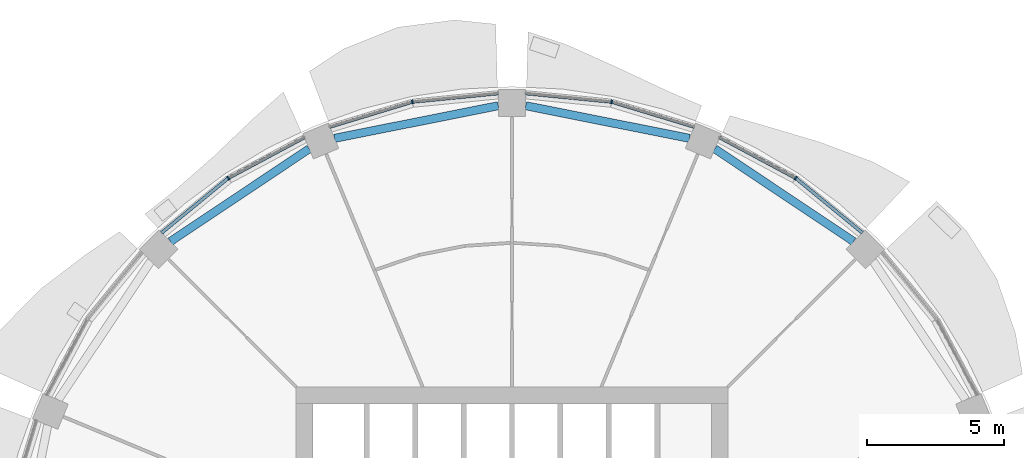
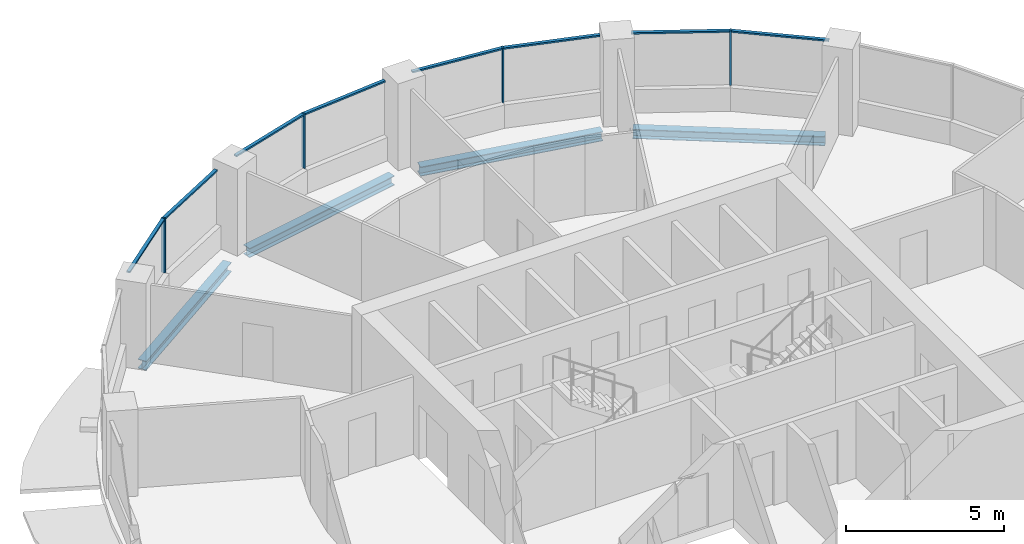
# One storey, part 6 of 15: 12 members, 4 beams, 4 elements without a shape of their own.
"""IFC4 building model written with IfcOpenShell, lengths in metres."""

from ifc_helpers import new_model, si_unit, direction, frame, origin, origin_2d, place, context, subcontext, project, spatial, rectangle, i_section, extrude, material, material_profile, profile_set, type_object, element, aggregate, save


model = new_model("IFC4")

# Units and contexts
model_context = context("Model", 3, precision=1e-05, world=origin(), true_north=direction((0.0, 1.0)))
body_context = subcontext(model_context, "Body", "Model", "MODEL_VIEW")
ifc_project = project(units=[si_unit("LENGTHUNIT", "METRE"), si_unit("AREAUNIT", "SQUARE_METRE"), si_unit("VOLUMEUNIT", "CUBIC_METRE"), si_unit("PLANEANGLEUNIT", "RADIAN"), si_unit("MASSUNIT", "GRAM", prefix="KILO")], contexts=[model_context])

# Site, building, storey
site_placement = place(None, origin())
site = spatial("IfcSite", under=ifc_project, at=site_placement, CompositionType="ELEMENT")
building_placement = place(site_placement, origin())
building = spatial("IfcBuilding", under=site, at=building_placement, Name="Polderwave Tower", CompositionType="ELEMENT")
storey_placement = place(building_placement, frame((0.0, 0.0, 151.10009765625)))
storey = spatial("IfcBuildingStorey", under=building, at=storey_placement, Name="L40", CompositionType="ELEMENT", Elevation=151.10009765625)

# Curtain wall, member
ifc_material_1 = material(Name="Aluminium 6063-T6 and glass", Category="aluminium")
curtain_wall_type = type_object("IfcCurtainWallType", Name="Office ribbon glazing wall", PredefinedType="NOTDEFINED", material=ifc_material_1)
curtain_wall_1_placement = place(storey_placement, origin())
curtain_wall_1 = element("IfcCurtainWall", 1, at=curtain_wall_1_placement, inside=storey, type_object=curtain_wall_type, Name="CW3 L40 02", PredefinedType="NOTDEFINED")
ifc_material_2 = material(Name="Aluminium 6063-T6", Category="aluminium")
ifc_material_profile_1 = material_profile(ifc_material_2, rectangle(XDim=0.139892578125, YDim=0.054931640625, at=origin_2d()), Name="AL 55x140")
ifc_profile_set_1 = profile_set([ifc_material_profile_1], Name="Aluminium 6063-T6")
member_type_1 = type_object("IfcMemberType", Name="Office ribbon glazing mullion 55x140", PredefinedType="MULLION", material=ifc_profile_set_1)
member_1_placement = place(storey_placement, frame((10.35009765625, 15.489990234375, 0.89990234375), z_axis=(0.0, 0.0, 1.0), x_axis=(-0.555548465006, -0.831484156812, 0.0)))
member_1 = element("IfcMember", 2, at=member_1_placement, type_object=member_type_1, Name="CW3 mullion 1", PredefinedType="MULLION", context=body_context, shape_type="SweptSolid", body=[
    extrude(rectangle(XDim=0.139892578125, YDim=0.054931640625, at=origin_2d()), origin(), (0.0, 0.0, 1.0), 2.10009765625),
])

curtain_wall_2_placement = place(storey_placement, origin())
curtain_wall_2 = element("IfcCurtainWall", 3, at=curtain_wall_2_placement, inside=storey, type_object=curtain_wall_type, Name="CW3 L40 03", PredefinedType="NOTDEFINED")
member_2_placement = place(storey_placement, frame((3.635009765625, 18.27197265625, 0.89990234375), z_axis=(0.0, 0.0, 1.0), x_axis=(-0.195083474838, -0.980786642367, 0.0)))
member_2 = element("IfcMember", 4, at=member_2_placement, type_object=member_type_1, Name="CW3 mullion 1", PredefinedType="MULLION", context=body_context, shape_type="SweptSolid", body=[
    extrude(rectangle(XDim=0.139892578125, YDim=0.054931640625, at=origin_2d()), origin(), (0.0, 0.0, 1.0), 2.10009765625),
])

curtain_wall_3_placement = place(storey_placement, origin())
curtain_wall_3 = element("IfcCurtainWall", 5, at=curtain_wall_3_placement, inside=storey, type_object=curtain_wall_type, Name="CW3 L40 04", PredefinedType="NOTDEFINED")
member_3_placement = place(storey_placement, frame((-3.635009765625, 18.27197265625, 0.89990234375), z_axis=(0.0, 0.0, 1.0), x_axis=(0.195083474838, -0.980786642367, 0.0)))
member_3 = element("IfcMember", 6, at=member_3_placement, type_object=member_type_1, Name="CW3 mullion 1", PredefinedType="MULLION", context=body_context, shape_type="SweptSolid", body=[
    extrude(rectangle(XDim=0.139892578125, YDim=0.054931640625, at=origin_2d()), origin(), (0.0, 0.0, 1.0), 2.10009765625),
])

curtain_wall_4_placement = place(storey_placement, origin())
curtain_wall_4 = element("IfcCurtainWall", 7, at=curtain_wall_4_placement, inside=storey, type_object=curtain_wall_type, Name="CW3 L40 05", PredefinedType="NOTDEFINED")
member_4_placement = place(storey_placement, frame((-10.35009765625, 15.489990234375, 0.89990234375), z_axis=(0.0, 0.0, 1.0), x_axis=(0.555548465006, -0.831484156812, 0.0)))
member_4 = element("IfcMember", 8, at=member_4_placement, type_object=member_type_1, Name="CW3 mullion 1", PredefinedType="MULLION", context=body_context, shape_type="SweptSolid", body=[
    extrude(rectangle(XDim=0.139892578125, YDim=0.054931640625, at=origin_2d()), origin(), (0.0, 0.0, 1.0), 2.10009765625),
])

# Member
ifc_material_profile_2 = material_profile(ifc_material_2, rectangle(XDim=0.1201171875, YDim=0.06005859375, at=origin_2d()), Name="AL 60x120")
ifc_profile_set_2 = profile_set([ifc_material_profile_2], Name="Aluminium 6063-T6")
member_type_2 = type_object("IfcMemberType", Name="Office ribbon glazing transom 60x120", PredefinedType="USERDEFINED", material=ifc_profile_set_2)
member_5_placement = place(storey_placement, frame((12.784912109375, 13.491943359375, 2.969970703125), z_axis=(-0.773019292913, 0.634382512988, 0.0), x_axis=(-0.634382512988, -0.773019292913, 0.0)))
member_5 = element("IfcMember", 9, at=member_5_placement, type_object=member_type_2, Name="CW3 transom 1", ObjectType="TRANSOM", PredefinedType="USERDEFINED", context=body_context, shape_type="SweptSolid", body=[
    extrude(rectangle(XDim=0.1201171875, YDim=0.06005859375, at=origin_2d()), origin(), (0.0, 0.0, 1.0), 3.122314453125),
])

member_6_placement = place(storey_placement, frame((10.32568359375, 15.5029296875, 2.969970703125), z_axis=(-0.881880665153, 0.471472684712, 0.0), x_axis=(-0.471472684712, -0.881880665153, 0.0)))
member_6 = element("IfcMember", 10, at=member_6_placement, type_object=member_type_2, Name="CW3 transom 2", ObjectType="TRANSOM", PredefinedType="USERDEFINED", context=body_context, shape_type="SweptSolid", body=[
    extrude(rectangle(XDim=0.1201171875, YDim=0.06005859375, at=origin_2d()), origin(), (0.0, 0.0, 1.0), 3.12255859375),
])

aggregate(curtain_wall_1, [member_1, member_5, member_6])

member_7_placement = place(storey_placement, frame((6.64892578125, 17.35791015625, 2.969970703125), z_axis=(-0.956963215555, 0.290209241883, 0.0), x_axis=(-0.290209241883, -0.956963215555, 0.0)))
member_7 = element("IfcMember", 11, at=member_7_placement, type_object=member_type_2, Name="CW3 transom 1", ObjectType="TRANSOM", PredefinedType="USERDEFINED", context=body_context, shape_type="SweptSolid", body=[
    extrude(rectangle(XDim=0.1201171875, YDim=0.06005859375, at=origin_2d()), origin(), (0.0, 0.0, 1.0), 3.121826171875),
])

member_8_placement = place(storey_placement, frame((3.607666015625, 18.274658203125, 2.969970703125), z_axis=(-0.995174785119, 0.098118026186, 0.0), x_axis=(-0.098118026186, -0.995174785119, 0.0)))
member_8 = element("IfcMember", 12, at=member_8_placement, type_object=member_type_2, Name="CW3 transom 2", ObjectType="TRANSOM", PredefinedType="USERDEFINED", context=body_context, shape_type="SweptSolid", body=[
    extrude(rectangle(XDim=0.1201171875, YDim=0.06005859375, at=origin_2d()), origin(), (0.0, 0.0, 1.0), 3.122802734375),
])

aggregate(curtain_wall_2, [member_2, member_7, member_8])

member_9_placement = place(storey_placement, frame((-0.5, 18.5810546875, 2.969970703125), z_axis=(-0.995174785119, -0.098118026186, 0.0), x_axis=(0.098118026186, -0.995174785119, 0.0)))
member_9 = element("IfcMember", 13, at=member_9_placement, type_object=member_type_2, Name="CW3 transom 1", ObjectType="TRANSOM", PredefinedType="USERDEFINED", context=body_context, shape_type="SweptSolid", body=[
    extrude(rectangle(XDim=0.1201171875, YDim=0.06005859375, at=origin_2d()), origin(), (0.0, 0.0, 1.0), 3.122802734375),
])

member_10_placement = place(storey_placement, frame((-3.661376953125, 18.263916015625, 2.969970703125), z_axis=(-0.956963215555, -0.290209241883, 0.0), x_axis=(0.290209241883, -0.956963215555, 0.0)))
member_10 = element("IfcMember", 14, at=member_10_placement, type_object=member_type_2, Name="CW3 transom 2", ObjectType="TRANSOM", PredefinedType="USERDEFINED", context=body_context, shape_type="SweptSolid", body=[
    extrude(rectangle(XDim=0.1201171875, YDim=0.06005859375, at=origin_2d()), origin(), (0.0, 0.0, 1.0), 3.121826171875),
])

aggregate(curtain_wall_3, [member_3, member_9, member_10])

member_11_placement = place(storey_placement, frame((-7.572021484375, 16.97509765625, 2.969970703125), z_axis=(-0.881880665153, -0.471472684712, 0.0), x_axis=(0.471472684712, -0.881880665153, 0.0)))
member_11 = element("IfcMember", 15, at=member_11_placement, type_object=member_type_2, Name="CW3 transom 1", ObjectType="TRANSOM", PredefinedType="USERDEFINED", context=body_context, shape_type="SweptSolid", body=[
    extrude(rectangle(XDim=0.1201171875, YDim=0.06005859375, at=origin_2d()), origin(), (0.0, 0.0, 1.0), 3.12255859375),
])

member_12_placement = place(storey_placement, frame((-10.371337890625, 15.47265625, 2.969970703125), z_axis=(-0.773019292913, -0.634382512988, 0.0), x_axis=(0.634382512988, -0.773019292913, 0.0)))
member_12 = element("IfcMember", 16, at=member_12_placement, type_object=member_type_2, Name="CW3 transom 2", ObjectType="TRANSOM", PredefinedType="USERDEFINED", context=body_context, shape_type="SweptSolid", body=[
    extrude(rectangle(XDim=0.1201171875, YDim=0.06005859375, at=origin_2d()), origin(), (0.0, 0.0, 1.0), 3.122314453125),
])

aggregate(curtain_wall_4, [member_4, member_11, member_12])

# Beams
ifc_material_3 = material(Name="Steel S355", Category="steel")
ifc_material_profile_3 = material_profile(ifc_material_3, i_section(OverallWidth=0.300048828125, OverallDepth=0.360107421875, WebThickness=0.012451171875, FlangeThickness=0.0224609375, at=origin_2d()), Name="HE 360 B")
ifc_profile_set_3 = profile_set([ifc_material_profile_3], Name="Steel S355")
beam_type = type_object("IfcBeamType", Name="RING BEAM HE 360 B", PredefinedType="BEAM", material=ifc_profile_set_3)
for number, where, z_axis, x_axis, name in (
    (17, (12.466796875, 13.173828125, -0.530029296875), (-0.831482776251, 0.555550531273, 0.0), (-0.555550531273, -0.831482776251, 0.0), "ST-RB-L40-02"),
    (18, (6.476318359375, 16.94189453125, -0.530029296875), (-0.980786628445, 0.19508354483, 0.0), (-0.19508354483, -0.980786628445, 0.0), "ST-RB-L40-03"),
    (19, (-0.5, 18.130615234375, -0.530029296875), (-0.980786628445, -0.19508354483, 0.0), (0.19508354483, -0.980786628445, 0.0), "ST-RB-L40-04"),
    (20, (-7.400146484375, 16.55908203125, -0.530029296875), (-0.831482776251, -0.555550531273, 0.0), (0.555550531273, -0.831482776251, 0.0), "ST-RB-L40-05"),
):
    element("IfcBeam", number, at=place(storey_placement, frame(where, z_axis=z_axis, x_axis=x_axis)), inside=storey, type_object=beam_type, Name=name, PredefinedType="BEAM", context=body_context, shape_type="SweptSolid", body=[
        extrude(i_section(OverallWidth=0.300048828125, OverallDepth=0.360107421875, WebThickness=0.012451171875, FlangeThickness=0.0224609375, at=origin_2d()), origin(), (0.0, 0.0, 1.0), 6.093505859375),
    ])

save(model, "model.ifc")
